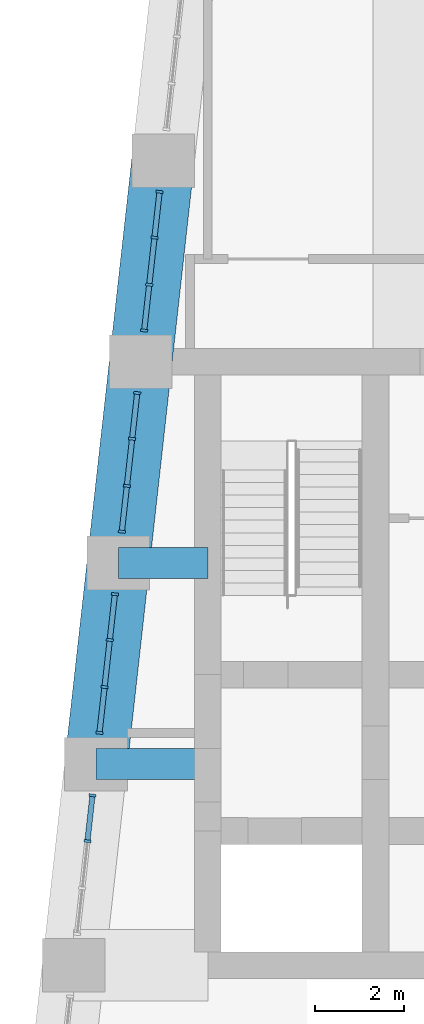
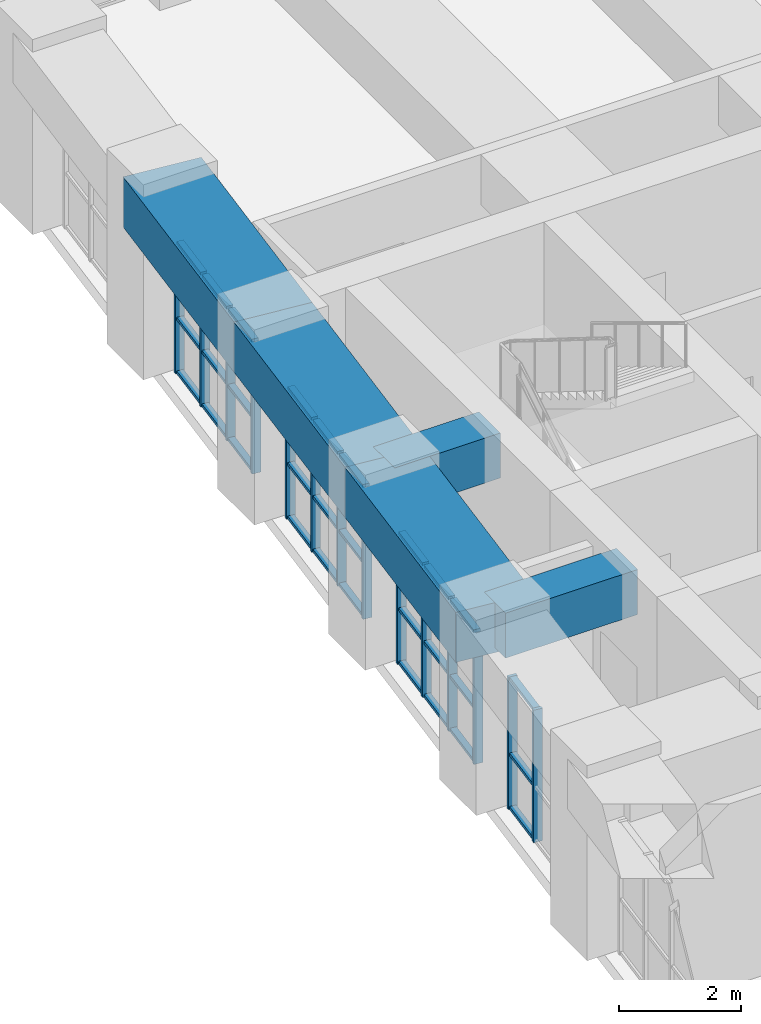
# One storey, part 4 of 18: 44 members, 5 beams, 4 elements without a shape of their own.
"""IFC4 building model written with IfcOpenShell, lengths in metres."""

import ifcopenshell
import ifcopenshell.guid

model = None  # the IFC model being written
_history = None  # IfcOwnerHistory: only IFC2X3 demands one
_inside = {}  # id of a spatial element -> (the spatial element, [elements in it])
_under = {}  # id of a project, library or spatial element -> (it, [spatial elements below it])
_declared = {}  # id of a project -> (the project, [libraries it declares])
_typed = {}  # id of a type object -> (the type object, [elements of that type])
_made_of = {}  # id of a material, layer set ... -> (it, [elements and type objects made of it])


def new_model(schema):
    """Start an empty IFC model of exactly this schema.

    Asked for "IFC4X3", IfcOpenShell would pick the latest addendum, in which some entities
    have other attributes; the version numbers below select the first issue.
    IFC2X3 requires an IfcOwnerHistory on every rooted entity: one is made here for all.
    """
    global model, _history
    if schema == "IFC4X3":
        model = ifcopenshell.file(schema_version=(4, 3, 0, 0))
    else:
        model = ifcopenshell.file(schema=schema)
    _inside.clear()
    _under.clear()
    _declared.clear()
    _typed.clear()
    _made_of.clear()
    _history = None
    if model.schema == "IFC2X3":
        org = make("IfcOrganization", Name="unknown")
        user = make(
            "IfcPersonAndOrganization",
            ThePerson=make("IfcPerson", FamilyName="unknown"),
            TheOrganization=org,
        )
        app = make(
            "IfcApplication",
            ApplicationDeveloper=org,
            Version="unknown",
            ApplicationFullName="unknown",
            ApplicationIdentifier="unknown",
        )
        _history = make(
            "IfcOwnerHistory",
            OwningUser=user,
            OwningApplication=app,
            ChangeAction="ADDED",
            CreationDate=0,
        )
    return model


def make(cls, **values):
    """One entity of the class cls with the attributes given. An attribute that is None is left unset."""
    return model.create_entity(
        cls, **{name: value for name, value in values.items() if value is not None}
    )


def rooted(cls, **values):
    """An entity with a GlobalId (a new one), such as an element, a storey or a relation."""
    return make(cls, GlobalId=ifcopenshell.guid.new(), OwnerHistory=_history, **values)


def si_unit(unit_type, name, prefix=None):
    """IfcSIUnit, for example si_unit("LENGTHUNIT", "METRE", prefix="MILLI")."""
    return make("IfcSIUnit", UnitType=unit_type, Prefix=prefix, Name=name)


def assignment(units):
    """IfcUnitAssignment: the units of a project."""
    return None if units is None else make("IfcUnitAssignment", Units=units)


def point(xyz):
    """IfcCartesianPoint."""
    return None if xyz is None else make("IfcCartesianPoint", Coordinates=xyz)


def direction(xyz):
    """IfcDirection."""
    return None if xyz is None else make("IfcDirection", DirectionRatios=xyz)


def frame(location, z_axis=None, x_axis=None):
    """IfcAxis2Placement3D, a coordinate frame: its origin and axes. An axis left out is left unset."""
    return make(
        "IfcAxis2Placement3D",
        Location=point(location),
        Axis=direction(z_axis),
        RefDirection=direction(x_axis),
    )


def frame_2d(location, x_axis=None):
    """IfcAxis2Placement2D, a coordinate frame in the plane: its origin and x axis."""
    return make(
        "IfcAxis2Placement2D", Location=point(location), RefDirection=direction(x_axis)
    )


def origin():
    """The frame at (0, 0, 0) with its axes left unset."""
    return frame((0.0, 0.0, 0.0))


def origin_2d():
    """The frame at (0, 0) in the plane with its x axis left unset."""
    return frame_2d((0.0, 0.0))


def place(relative_to, where):
    """IfcLocalPlacement: puts the frame where relative to a parent placement (None: the world)."""
    return make(
        "IfcLocalPlacement", PlacementRelTo=relative_to, RelativePlacement=where
    )


def context(
    kind, dimensions, precision=None, world=None, true_north=None, identifier=None
):
    """IfcGeometricRepresentationContext, for example the 3D "Model" context."""
    return make(
        "IfcGeometricRepresentationContext",
        ContextIdentifier=identifier,
        ContextType=kind,
        CoordinateSpaceDimension=dimensions,
        Precision=precision,
        WorldCoordinateSystem=world,
        TrueNorth=true_north,
    )


def subcontext(parent, identifier, kind, view, scale=None):
    """IfcGeometricRepresentationSubContext, for example "Body" below "Model"."""
    return make(
        "IfcGeometricRepresentationSubContext",
        ContextIdentifier=identifier,
        ContextType=kind,
        ParentContext=parent,
        TargetScale=scale,
        TargetView=view,
    )


def project(units=None, contexts=None):
    """IfcProject with its units and contexts."""
    return rooted(
        "IfcProject",
        Name="project",
        RepresentationContexts=contexts,
        UnitsInContext=assignment(units),
    )


def spatial(cls, under=None, at=None, **own):
    """A site, building, storey or space (cls), placed at a placement, below another one or the project."""
    s = rooted(cls, ObjectPlacement=at, **own)
    if under is not None:
        _under.setdefault(under.id(), (under, []))[1].append(s)
    return s


def profile(cls, at=None, kind="AREA", **sizes):
    """A parametric profile (cls). Its sizes go by their IFC names, for example OverallWidth=200.0."""
    return make(cls, ProfileType=kind, Position=at, **sizes)


def rectangle(**sizes):
    """IfcRectangleProfileDef."""
    return profile("IfcRectangleProfileDef", **sizes)


def extrude(swept, where, along, depth):
    """IfcExtrudedAreaSolid: the profile swept, set in the frame where, extruded along a direction by depth."""
    return make(
        "IfcExtrudedAreaSolid",
        SweptArea=swept,
        Position=where,
        ExtrudedDirection=direction(along),
        Depth=depth,
    )


def shape(context_of_items, identifier, shape_type, items):
    """IfcShapeRepresentation: the items that make up one representation, for example the "Body"."""
    return make(
        "IfcShapeRepresentation",
        ContextOfItems=context_of_items,
        RepresentationIdentifier=identifier,
        RepresentationType=shape_type,
        Items=items,
    )


def material(Name=None, Category=None):
    """IfcMaterial."""
    return make("IfcMaterial", Name=Name, Category=Category)


def material_profile(
    of_material, cross_section, Name=None, Category=None, Priority=None
):
    """IfcMaterialProfile: a cross section and its material."""
    return make(
        "IfcMaterialProfile",
        Name=Name,
        Material=of_material,
        Profile=cross_section,
        Priority=Priority,
        Category=Category,
    )


def profile_set(profiles, Name=None, composite=None):
    """IfcMaterialProfileSet."""
    return make(
        "IfcMaterialProfileSet",
        Name=Name,
        MaterialProfiles=profiles,
        CompositeProfile=composite,
    )


def made_of(thing, what):
    """Note that an element or type object is made of a material, layer set ...; save() writes the relation."""
    if what is not None:
        _made_of.setdefault(what.id(), (what, []))[1].append(thing)
    return thing


def type_object(cls, material=None, **own):
    """A type object (cls), such as IfcWallType, which elements share."""
    return made_of(rooted(cls, **own), material)


def element(
    cls,
    number,
    at=None,
    inside=None,
    cuts=None,
    type_object=None,
    material=None,
    context=None,
    identifier="Body",
    shape_type=None,
    held_by="IfcProductDefinitionShape",
    body=None,
    shapes=None,
    **own,
):
    """One element of the class cls, such as IfcWall. Its Tag is "e" and its number.

    at: its placement. inside: the storey or other place that contains it. cuts: it is an
    opening in that element (IfcRelVoidsElement). A single representation is given by context,
    identifier, shape_type and body (its items); several are given by shapes. held_by: the class
    of the entity that holds the representations. save() writes the other relations.
    """
    e = rooted(cls, Tag="e%d" % number, ObjectPlacement=at, **own)
    if body is not None:
        shapes = [shape(context, identifier, shape_type, body)]
    if shapes is not None:
        e.Representation = make(held_by, Representations=shapes)
    if inside is not None:
        _inside.setdefault(inside.id(), (inside, []))[1].append(e)
    if cuts is not None:
        rooted(
            "IfcRelVoidsElement", RelatingBuildingElement=cuts, RelatedOpeningElement=e
        )
    if type_object is not None:
        _typed.setdefault(type_object.id(), (type_object, []))[1].append(e)
    return made_of(e, material)


def aggregate(whole, parts):
    """IfcRelAggregates: a whole, such as a stair, and the parts it consists of."""
    return rooted("IfcRelAggregates", RelatingObject=whole, RelatedObjects=parts)


def save(model, path):
    """Write the relations noted so far, then the file.

    IfcRelAggregates (storeys below a building ...), IfcRelContainedInSpatialStructure (elements
    in a storey), IfcRelDefinesByType, IfcRelAssociatesMaterial and IfcRelDeclares: one each for
    every whole, place, type object, material and project.
    """
    for whole, parts in _under.values():
        aggregate(whole, parts)
    for where, things in _inside.values():
        rooted(
            "IfcRelContainedInSpatialStructure",
            RelatedElements=things,
            RelatingStructure=where,
        )
    for kind, things in _typed.values():
        rooted("IfcRelDefinesByType", RelatedObjects=things, RelatingType=kind)
    for what, things in _made_of.values():
        rooted("IfcRelAssociatesMaterial", RelatedObjects=things, RelatingMaterial=what)
    for by, libraries in _declared.values():
        rooted("IfcRelDeclares", RelatingContext=by, RelatedDefinitions=libraries)
    model.write(path)


model = new_model("IFC4")

# Units and contexts
model_context = context("Model", 3, precision=1e-05, world=origin(), true_north=direction((0.0, 1.0)))
body_context = subcontext(model_context, "Body", "Model", "MODEL_VIEW")
ifc_project = project(units=[si_unit("LENGTHUNIT", "METRE"), si_unit("AREAUNIT", "SQUARE_METRE"), si_unit("VOLUMEUNIT", "CUBIC_METRE"), si_unit("PLANEANGLEUNIT", "RADIAN"), si_unit("MASSUNIT", "GRAM", prefix="KILO")], contexts=[model_context])

# Site, building, storey
site_placement = place(None, origin())
site = spatial("IfcSite", under=ifc_project, at=site_placement, CompositionType="ELEMENT")
building_placement = place(site_placement, origin())
building = spatial("IfcBuilding", under=site, at=building_placement, Name="Kilele Tower Hotel", CompositionType="ELEMENT")
storey_placement = place(building_placement, frame((0.0, 0.0, 281.89990234375)))
storey = spatial("IfcBuildingStorey", under=building, at=storey_placement, Name="L72", CompositionType="ELEMENT", Elevation=281.89990234375)

# Beams
ifc_material_1 = material(Name="Concrete C60/75", Category="concrete")
ifc_material_profile_1 = material_profile(ifc_material_1, rectangle(XDim=0.699951171875, YDim=0.89990234375, at=origin_2d()))
ifc_profile_set_1 = profile_set([ifc_material_profile_1], Name="Concrete C60/75")
beam_type_1 = type_object("IfcBeamType", Name="Beam RC 700x900 C60/75 short span", PredefinedType="BEAM", material=ifc_profile_set_1)
beam_1_placement = place(storey_placement, frame((11.5, 22.5, 3.2001953125), z_axis=(1.0, 0.0, 0.0), x_axis=(0.0, 1.0, 0.0)))
element("IfcBeam", 1, at=beam_1_placement, inside=storey, type_object=beam_type_1, Name="Beam B3 level L73", PredefinedType="BEAM", context=body_context, shape_type="SweptSolid", body=[
    extrude(rectangle(XDim=0.699951171875, YDim=0.89990234375, at=origin_2d()), origin(), (0.0, 0.0, 1.0), 2.0),
])
beam_2_placement = place(storey_placement, frame((11.0, 18.0, 3.2001953125), z_axis=(1.0, 0.0, 0.0), x_axis=(0.0, 1.0, 0.0)))
element("IfcBeam", 2, at=beam_2_placement, inside=storey, type_object=beam_type_1, Name="Beam B3 level L73", PredefinedType="BEAM", context=body_context, shape_type="SweptSolid", body=[
    extrude(rectangle(XDim=0.699951171875, YDim=0.89990234375, at=origin_2d()), origin(), (0.0, 0.0, 1.0), 2.5),
])

# Curtain wall, members
ifc_material_2 = material(Name="Aluminium curtain wall, clear double glazing", Category="aluminium")
curtain_wall_type = type_object("IfcCurtainWallType", Name="Sky restaurant curtain wall CW-5", PredefinedType="NOTDEFINED", material=ifc_material_2)
curtain_wall_1_placement = place(storey_placement, origin())
curtain_wall_1 = element("IfcCurtainWall", 3, at=curtain_wall_1_placement, inside=storey, type_object=curtain_wall_type, Name="Sky restaurant curtain wall CW-5 L72", PredefinedType="NOTDEFINED")
ifc_material_3 = material(Name="Aluminium EN AW-6063 T6", Category="aluminium")
ifc_material_profile_2 = material_profile(ifc_material_3, rectangle(XDim=0.159912109375, YDim=0.06005859375, at=origin_2d()))
ifc_profile_set_2 = profile_set([ifc_material_profile_2], Name="Aluminium EN AW-6063 T6")
member_type_1 = type_object("IfcMemberType", Name="Mullion 60x160 CW-5", PredefinedType="MULLION", material=ifc_profile_set_2)
member_1_placement = place(storey_placement, frame((12.42236328125, 30.80078125, 0.0), z_axis=(0.0, 0.0, 1.0), x_axis=(0.993883734681, -0.110431526007, 0.0)))
member_1 = element("IfcMember", 4, at=member_1_placement, type_object=member_type_1, Name="CW-5 mullion 1", PredefinedType="MULLION", context=body_context, shape_type="SweptSolid", body=[
    extrude(rectangle(XDim=0.159912109375, YDim=0.06005859375, at=origin_2d()), origin(), (0.0, 0.0, 1.0), 2.650146484375),
])
member_2_placement = place(storey_placement, frame((12.30859375, 29.77685546875, 0.0), z_axis=(0.0, 0.0, 1.0), x_axis=(0.993883734681, -0.110431526007, 0.0)))
member_2 = element("IfcMember", 5, at=member_2_placement, type_object=member_type_1, Name="CW-5 mullion 2", PredefinedType="MULLION", context=body_context, shape_type="SweptSolid", body=[
    extrude(rectangle(XDim=0.159912109375, YDim=0.06005859375, at=origin_2d()), origin(), (0.0, 0.0, 1.0), 2.650146484375),
])
member_3_placement = place(storey_placement, frame((12.19140625, 28.72314453125, 0.0), z_axis=(0.0, 0.0, 1.0), x_axis=(0.993883734681, -0.110431526007, 0.0)))
member_3 = element("IfcMember", 6, at=member_3_placement, type_object=member_type_1, Name="CW-5 mullion 3", PredefinedType="MULLION", context=body_context, shape_type="SweptSolid", body=[
    extrude(rectangle(XDim=0.159912109375, YDim=0.06005859375, at=origin_2d()), origin(), (0.0, 0.0, 1.0), 2.650146484375),
])
member_4_placement = place(storey_placement, frame((12.07763671875, 27.69921875, 0.0), z_axis=(0.0, 0.0, 1.0), x_axis=(0.993883734681, -0.110431526007, 0.0)))
member_4 = element("IfcMember", 7, at=member_4_placement, type_object=member_type_1, Name="CW-5 mullion 4", PredefinedType="MULLION", context=body_context, shape_type="SweptSolid", body=[
    extrude(rectangle(XDim=0.159912109375, YDim=0.06005859375, at=origin_2d()), origin(), (0.0, 0.0, 1.0), 2.650146484375),
])

curtain_wall_2_placement = place(storey_placement, origin())
curtain_wall_2 = element("IfcCurtainWall", 8, at=curtain_wall_2_placement, inside=storey, type_object=curtain_wall_type, Name="Sky restaurant curtain wall CW-5 L72", PredefinedType="NOTDEFINED")
member_5_placement = place(storey_placement, frame((11.92236328125, 26.30078125, 0.0), z_axis=(0.0, 0.0, 1.0), x_axis=(0.993883734681, -0.110431526007, 0.0)))
member_5 = element("IfcMember", 9, at=member_5_placement, type_object=member_type_1, Name="CW-5 mullion 1", PredefinedType="MULLION", context=body_context, shape_type="SweptSolid", body=[
    extrude(rectangle(XDim=0.159912109375, YDim=0.06005859375, at=origin_2d()), origin(), (0.0, 0.0, 1.0), 2.650146484375),
])
member_6_placement = place(storey_placement, frame((11.80859375, 25.27685546875, 0.0), z_axis=(0.0, 0.0, 1.0), x_axis=(0.993883734681, -0.110431526007, 0.0)))
member_6 = element("IfcMember", 10, at=member_6_placement, type_object=member_type_1, Name="CW-5 mullion 2", PredefinedType="MULLION", context=body_context, shape_type="SweptSolid", body=[
    extrude(rectangle(XDim=0.159912109375, YDim=0.06005859375, at=origin_2d()), origin(), (0.0, 0.0, 1.0), 2.650146484375),
])
member_7_placement = place(storey_placement, frame((11.69140625, 24.22314453125, 0.0), z_axis=(0.0, 0.0, 1.0), x_axis=(0.993883734681, -0.110431526007, 0.0)))
member_7 = element("IfcMember", 11, at=member_7_placement, type_object=member_type_1, Name="CW-5 mullion 3", PredefinedType="MULLION", context=body_context, shape_type="SweptSolid", body=[
    extrude(rectangle(XDim=0.159912109375, YDim=0.06005859375, at=origin_2d()), origin(), (0.0, 0.0, 1.0), 2.650146484375),
])
member_8_placement = place(storey_placement, frame((11.57763671875, 23.19921875, 0.0), z_axis=(0.0, 0.0, 1.0), x_axis=(0.993883734681, -0.110431526007, 0.0)))
member_8 = element("IfcMember", 12, at=member_8_placement, type_object=member_type_1, Name="CW-5 mullion 4", PredefinedType="MULLION", context=body_context, shape_type="SweptSolid", body=[
    extrude(rectangle(XDim=0.159912109375, YDim=0.06005859375, at=origin_2d()), origin(), (0.0, 0.0, 1.0), 2.650146484375),
])

curtain_wall_3_placement = place(storey_placement, origin())
curtain_wall_3 = element("IfcCurtainWall", 13, at=curtain_wall_3_placement, inside=storey, type_object=curtain_wall_type, Name="Sky restaurant curtain wall CW-5 L72", PredefinedType="NOTDEFINED")
member_9_placement = place(storey_placement, frame((11.42236328125, 21.80078125, 0.0), z_axis=(0.0, 0.0, 1.0), x_axis=(0.993883734681, -0.110431526007, 0.0)))
member_9 = element("IfcMember", 14, at=member_9_placement, type_object=member_type_1, Name="CW-5 mullion 1", PredefinedType="MULLION", context=body_context, shape_type="SweptSolid", body=[
    extrude(rectangle(XDim=0.159912109375, YDim=0.06005859375, at=origin_2d()), origin(), (0.0, 0.0, 1.0), 2.650146484375),
])
member_10_placement = place(storey_placement, frame((11.30859375, 20.77685546875, 0.0), z_axis=(0.0, 0.0, 1.0), x_axis=(0.993883734681, -0.110431526007, 0.0)))
member_10 = element("IfcMember", 15, at=member_10_placement, type_object=member_type_1, Name="CW-5 mullion 2", PredefinedType="MULLION", context=body_context, shape_type="SweptSolid", body=[
    extrude(rectangle(XDim=0.159912109375, YDim=0.06005859375, at=origin_2d()), origin(), (0.0, 0.0, 1.0), 2.650146484375),
])
member_11_placement = place(storey_placement, frame((11.19140625, 19.72314453125, 0.0), z_axis=(0.0, 0.0, 1.0), x_axis=(0.993883734681, -0.110431526007, 0.0)))
member_11 = element("IfcMember", 16, at=member_11_placement, type_object=member_type_1, Name="CW-5 mullion 3", PredefinedType="MULLION", context=body_context, shape_type="SweptSolid", body=[
    extrude(rectangle(XDim=0.159912109375, YDim=0.06005859375, at=origin_2d()), origin(), (0.0, 0.0, 1.0), 2.650146484375),
])
member_12_placement = place(storey_placement, frame((11.07763671875, 18.69921875, 0.0), z_axis=(0.0, 0.0, 1.0), x_axis=(0.993883734681, -0.110431526007, 0.0)))
member_12 = element("IfcMember", 17, at=member_12_placement, type_object=member_type_1, Name="CW-5 mullion 4", PredefinedType="MULLION", context=body_context, shape_type="SweptSolid", body=[
    extrude(rectangle(XDim=0.159912109375, YDim=0.06005859375, at=origin_2d()), origin(), (0.0, 0.0, 1.0), 2.650146484375),
])

curtain_wall_4_placement = place(storey_placement, origin())
curtain_wall_4 = element("IfcCurtainWall", 18, at=curtain_wall_4_placement, inside=storey, type_object=curtain_wall_type, Name="Sky restaurant curtain wall CW-5 L72", PredefinedType="NOTDEFINED")
member_13_placement = place(storey_placement, frame((10.92236328125, 17.30078125, 0.0), z_axis=(0.0, 0.0, 1.0), x_axis=(0.993883734681, -0.110431526007, 0.0)))
member_13 = element("IfcMember", 19, at=member_13_placement, type_object=member_type_1, Name="CW-5 mullion 1", PredefinedType="MULLION", context=body_context, shape_type="SweptSolid", body=[
    extrude(rectangle(XDim=0.159912109375, YDim=0.06005859375, at=origin_2d()), origin(), (0.0, 0.0, 1.0), 2.650146484375),
])
member_14_placement = place(storey_placement, frame((10.80859375, 16.27685546875, 0.0), z_axis=(0.0, 0.0, 1.0), x_axis=(0.993883734681, -0.110431526007, 0.0)))
member_14 = element("IfcMember", 20, at=member_14_placement, type_object=member_type_1, Name="CW-5 mullion 2", PredefinedType="MULLION", context=body_context, shape_type="SweptSolid", body=[
    extrude(rectangle(XDim=0.159912109375, YDim=0.06005859375, at=origin_2d()), origin(), (0.0, 0.0, 1.0), 2.650146484375),
])

# Beams
ifc_material_4 = material(Name="Concrete C60/75", Category="concrete")
ifc_material_profile_3 = material_profile(ifc_material_4, rectangle(XDim=1.39990234375, YDim=1.0, at=origin_2d()))
ifc_profile_set_3 = profile_set([ifc_material_profile_3], Name="Concrete C60/75")
beam_type_2 = type_object("IfcBeamType", Name="Spandrel RC 1400x1000 C60/75", PredefinedType="SPANDREL", material=ifc_profile_set_3)
for number, where, z_axis, x_axis, name in (
    (21, (12.5, 31.5, 3.150146484375), (-0.110431526075, -0.993883734674, 0.0), (0.993883734674, -0.110431526075, 0.0), "Spandrel SP1 level L73"),
    (22, (12.0, 27.0, 3.150146484375), (-0.110431526075, -0.993883734674, 0.0), (0.993883734674, -0.110431526075, 0.0), "Spandrel SP1 level L73"),
    (23, (11.5, 22.5, 3.150146484375), (-0.110431526075, -0.993883734674, 0.0), (0.993883734674, -0.110431526075, 0.0), "Spandrel SP1 level L73"),
):
    element("IfcBeam", number, at=place(storey_placement, frame(where, z_axis=z_axis, x_axis=x_axis)), inside=storey, type_object=beam_type_2, Name=name, PredefinedType="SPANDREL", context=body_context, shape_type="SweptSolid", body=[
        extrude(rectangle(XDim=1.39990234375, YDim=1.0, at=origin_2d()), origin(), (0.0, 0.0, 1.0), 4.527587890625),
    ])

# Member
ifc_material_5 = material(Name="Aluminium EN AW-6063 T6", Category="aluminium")
ifc_material_profile_4 = material_profile(ifc_material_5, rectangle(XDim=0.1201171875, YDim=0.06005859375, at=origin_2d()))
ifc_profile_set_4 = profile_set([ifc_material_profile_4], Name="Aluminium EN AW-6063 T6")
member_type_2 = type_object("IfcMemberType", Name="Transom 60x120 CW-5", PredefinedType="USERDEFINED", material=ifc_profile_set_4)
member_15_placement = place(storey_placement, frame((12.4189453125, 30.770751953125, 0.030029296875), z_axis=(-0.11048677236, -0.993877594643, 0.0), x_axis=(0.993877594643, -0.11048677236, 0.0)))
member_15 = element("IfcMember", 24, at=member_15_placement, type_object=member_type_2, Name="CW-5 transom 1.1", ObjectType="TRANSOM", PredefinedType="USERDEFINED", context=body_context, shape_type="SweptSolid", body=[
    extrude(rectangle(XDim=0.1201171875, YDim=0.06005859375, at=origin_2d()), origin(), (0.0, 0.0, 1.0), 0.969970703125),
])

member_16_placement = place(storey_placement, frame((12.4189453125, 30.770751953125, 1.10009765625), z_axis=(-0.11048677236, -0.993877594643, 0.0), x_axis=(0.993877594643, -0.11048677236, 0.0)))
member_16 = element("IfcMember", 25, at=member_16_placement, type_object=member_type_2, Name="CW-5 transom 1.2", ObjectType="TRANSOM", PredefinedType="USERDEFINED", context=body_context, shape_type="SweptSolid", body=[
    extrude(rectangle(XDim=0.1201171875, YDim=0.06005859375, at=origin_2d()), origin(), (0.0, 0.0, 1.0), 0.969970703125),
])

member_17_placement = place(storey_placement, frame((12.4189453125, 30.770751953125, 2.6201171875), z_axis=(-0.11048677236, -0.993877594643, 0.0), x_axis=(0.993877594643, -0.11048677236, 0.0)))
member_17 = element("IfcMember", 26, at=member_17_placement, type_object=member_type_2, Name="CW-5 transom 1.3", ObjectType="TRANSOM", PredefinedType="USERDEFINED", context=body_context, shape_type="SweptSolid", body=[
    extrude(rectangle(XDim=0.1201171875, YDim=0.06005859375, at=origin_2d()), origin(), (0.0, 0.0, 1.0), 0.969970703125),
])

member_18_placement = place(storey_placement, frame((12.30517578125, 29.7470703125, 0.030029296875), z_axis=(-0.110324368158, -0.993895635261, 0.0), x_axis=(0.993895635261, -0.110324368158, 0.0)))
member_18 = element("IfcMember", 27, at=member_18_placement, type_object=member_type_2, Name="CW-5 transom 2.1", ObjectType="TRANSOM", PredefinedType="USERDEFINED", context=body_context, shape_type="SweptSolid", body=[
    extrude(rectangle(XDim=0.1201171875, YDim=0.06005859375, at=origin_2d()), origin(), (0.0, 0.0, 1.0), 1.000244140625),
])

member_19_placement = place(storey_placement, frame((12.30517578125, 29.7470703125, 1.10009765625), z_axis=(-0.110324368158, -0.993895635261, 0.0), x_axis=(0.993895635261, -0.110324368158, 0.0)))
member_19 = element("IfcMember", 28, at=member_19_placement, type_object=member_type_2, Name="CW-5 transom 2.2", ObjectType="TRANSOM", PredefinedType="USERDEFINED", context=body_context, shape_type="SweptSolid", body=[
    extrude(rectangle(XDim=0.1201171875, YDim=0.06005859375, at=origin_2d()), origin(), (0.0, 0.0, 1.0), 1.000244140625),
])

member_20_placement = place(storey_placement, frame((12.30517578125, 29.7470703125, 2.6201171875), z_axis=(-0.110324368158, -0.993895635261, 0.0), x_axis=(0.993895635261, -0.110324368158, 0.0)))
member_20 = element("IfcMember", 29, at=member_20_placement, type_object=member_type_2, Name="CW-5 transom 2.3", ObjectType="TRANSOM", PredefinedType="USERDEFINED", context=body_context, shape_type="SweptSolid", body=[
    extrude(rectangle(XDim=0.1201171875, YDim=0.06005859375, at=origin_2d()), origin(), (0.0, 0.0, 1.0), 1.000244140625),
])

member_21_placement = place(storey_placement, frame((12.188232421875, 28.693359375, 0.030029296875), z_axis=(-0.11048677236, -0.993877594643, 0.0), x_axis=(0.993877594643, -0.11048677236, 0.0)))
member_21 = element("IfcMember", 30, at=member_21_placement, type_object=member_type_2, Name="CW-5 transom 3.1", ObjectType="TRANSOM", PredefinedType="USERDEFINED", context=body_context, shape_type="SweptSolid", body=[
    extrude(rectangle(XDim=0.1201171875, YDim=0.06005859375, at=origin_2d()), origin(), (0.0, 0.0, 1.0), 0.969970703125),
])

member_22_placement = place(storey_placement, frame((12.188232421875, 28.693359375, 1.10009765625), z_axis=(-0.11048677236, -0.993877594643, 0.0), x_axis=(0.993877594643, -0.11048677236, 0.0)))
member_22 = element("IfcMember", 31, at=member_22_placement, type_object=member_type_2, Name="CW-5 transom 3.2", ObjectType="TRANSOM", PredefinedType="USERDEFINED", context=body_context, shape_type="SweptSolid", body=[
    extrude(rectangle(XDim=0.1201171875, YDim=0.06005859375, at=origin_2d()), origin(), (0.0, 0.0, 1.0), 0.969970703125),
])

member_23_placement = place(storey_placement, frame((12.188232421875, 28.693359375, 2.6201171875), z_axis=(-0.11048677236, -0.993877594643, 0.0), x_axis=(0.993877594643, -0.11048677236, 0.0)))
member_23 = element("IfcMember", 32, at=member_23_placement, type_object=member_type_2, Name="CW-5 transom 3.3", ObjectType="TRANSOM", PredefinedType="USERDEFINED", context=body_context, shape_type="SweptSolid", body=[
    extrude(rectangle(XDim=0.1201171875, YDim=0.06005859375, at=origin_2d()), origin(), (0.0, 0.0, 1.0), 0.969970703125),
])

aggregate(curtain_wall_1, [member_1, member_2, member_3, member_4, member_15, member_16, member_17, member_18, member_19, member_20, member_21, member_22, member_23])

member_24_placement = place(storey_placement, frame((11.9189453125, 26.270751953125, 0.030029296875), z_axis=(-0.11048677236, -0.993877594643, 0.0), x_axis=(0.993877594643, -0.11048677236, 0.0)))
member_24 = element("IfcMember", 33, at=member_24_placement, type_object=member_type_2, Name="CW-5 transom 1.1", ObjectType="TRANSOM", PredefinedType="USERDEFINED", context=body_context, shape_type="SweptSolid", body=[
    extrude(rectangle(XDim=0.1201171875, YDim=0.06005859375, at=origin_2d()), origin(), (0.0, 0.0, 1.0), 0.969970703125),
])

member_25_placement = place(storey_placement, frame((11.9189453125, 26.270751953125, 1.10009765625), z_axis=(-0.11048677236, -0.993877594643, 0.0), x_axis=(0.993877594643, -0.11048677236, 0.0)))
member_25 = element("IfcMember", 34, at=member_25_placement, type_object=member_type_2, Name="CW-5 transom 1.2", ObjectType="TRANSOM", PredefinedType="USERDEFINED", context=body_context, shape_type="SweptSolid", body=[
    extrude(rectangle(XDim=0.1201171875, YDim=0.06005859375, at=origin_2d()), origin(), (0.0, 0.0, 1.0), 0.969970703125),
])

member_26_placement = place(storey_placement, frame((11.9189453125, 26.270751953125, 2.6201171875), z_axis=(-0.11048677236, -0.993877594643, 0.0), x_axis=(0.993877594643, -0.11048677236, 0.0)))
member_26 = element("IfcMember", 35, at=member_26_placement, type_object=member_type_2, Name="CW-5 transom 1.3", ObjectType="TRANSOM", PredefinedType="USERDEFINED", context=body_context, shape_type="SweptSolid", body=[
    extrude(rectangle(XDim=0.1201171875, YDim=0.06005859375, at=origin_2d()), origin(), (0.0, 0.0, 1.0), 0.969970703125),
])

member_27_placement = place(storey_placement, frame((11.80517578125, 25.2470703125, 0.030029296875), z_axis=(-0.110324368158, -0.993895635261, 0.0), x_axis=(0.993895635261, -0.110324368158, 0.0)))
member_27 = element("IfcMember", 36, at=member_27_placement, type_object=member_type_2, Name="CW-5 transom 2.1", ObjectType="TRANSOM", PredefinedType="USERDEFINED", context=body_context, shape_type="SweptSolid", body=[
    extrude(rectangle(XDim=0.1201171875, YDim=0.06005859375, at=origin_2d()), origin(), (0.0, 0.0, 1.0), 1.000244140625),
])

member_28_placement = place(storey_placement, frame((11.80517578125, 25.2470703125, 1.10009765625), z_axis=(-0.110324368158, -0.993895635261, 0.0), x_axis=(0.993895635261, -0.110324368158, 0.0)))
member_28 = element("IfcMember", 37, at=member_28_placement, type_object=member_type_2, Name="CW-5 transom 2.2", ObjectType="TRANSOM", PredefinedType="USERDEFINED", context=body_context, shape_type="SweptSolid", body=[
    extrude(rectangle(XDim=0.1201171875, YDim=0.06005859375, at=origin_2d()), origin(), (0.0, 0.0, 1.0), 1.000244140625),
])

member_29_placement = place(storey_placement, frame((11.80517578125, 25.2470703125, 2.6201171875), z_axis=(-0.110324368158, -0.993895635261, 0.0), x_axis=(0.993895635261, -0.110324368158, 0.0)))
member_29 = element("IfcMember", 38, at=member_29_placement, type_object=member_type_2, Name="CW-5 transom 2.3", ObjectType="TRANSOM", PredefinedType="USERDEFINED", context=body_context, shape_type="SweptSolid", body=[
    extrude(rectangle(XDim=0.1201171875, YDim=0.06005859375, at=origin_2d()), origin(), (0.0, 0.0, 1.0), 1.000244140625),
])

member_30_placement = place(storey_placement, frame((11.688232421875, 24.193359375, 0.030029296875), z_axis=(-0.11048677236, -0.993877594643, 0.0), x_axis=(0.993877594643, -0.11048677236, 0.0)))
member_30 = element("IfcMember", 39, at=member_30_placement, type_object=member_type_2, Name="CW-5 transom 3.1", ObjectType="TRANSOM", PredefinedType="USERDEFINED", context=body_context, shape_type="SweptSolid", body=[
    extrude(rectangle(XDim=0.1201171875, YDim=0.06005859375, at=origin_2d()), origin(), (0.0, 0.0, 1.0), 0.969970703125),
])

member_31_placement = place(storey_placement, frame((11.688232421875, 24.193359375, 1.10009765625), z_axis=(-0.11048677236, -0.993877594643, 0.0), x_axis=(0.993877594643, -0.11048677236, 0.0)))
member_31 = element("IfcMember", 40, at=member_31_placement, type_object=member_type_2, Name="CW-5 transom 3.2", ObjectType="TRANSOM", PredefinedType="USERDEFINED", context=body_context, shape_type="SweptSolid", body=[
    extrude(rectangle(XDim=0.1201171875, YDim=0.06005859375, at=origin_2d()), origin(), (0.0, 0.0, 1.0), 0.969970703125),
])

member_32_placement = place(storey_placement, frame((11.688232421875, 24.193359375, 2.6201171875), z_axis=(-0.11048677236, -0.993877594643, 0.0), x_axis=(0.993877594643, -0.11048677236, 0.0)))
member_32 = element("IfcMember", 41, at=member_32_placement, type_object=member_type_2, Name="CW-5 transom 3.3", ObjectType="TRANSOM", PredefinedType="USERDEFINED", context=body_context, shape_type="SweptSolid", body=[
    extrude(rectangle(XDim=0.1201171875, YDim=0.06005859375, at=origin_2d()), origin(), (0.0, 0.0, 1.0), 0.969970703125),
])

aggregate(curtain_wall_2, [member_5, member_6, member_7, member_8, member_24, member_25, member_26, member_27, member_28, member_29, member_30, member_31, member_32])

member_33_placement = place(storey_placement, frame((11.4189453125, 21.770751953125, 0.030029296875), z_axis=(-0.11048677236, -0.993877594643, 0.0), x_axis=(0.993877594643, -0.11048677236, 0.0)))
member_33 = element("IfcMember", 42, at=member_33_placement, type_object=member_type_2, Name="CW-5 transom 1.1", ObjectType="TRANSOM", PredefinedType="USERDEFINED", context=body_context, shape_type="SweptSolid", body=[
    extrude(rectangle(XDim=0.1201171875, YDim=0.06005859375, at=origin_2d()), origin(), (0.0, 0.0, 1.0), 0.969970703125),
])

member_34_placement = place(storey_placement, frame((11.4189453125, 21.770751953125, 1.10009765625), z_axis=(-0.11048677236, -0.993877594643, 0.0), x_axis=(0.993877594643, -0.11048677236, 0.0)))
member_34 = element("IfcMember", 43, at=member_34_placement, type_object=member_type_2, Name="CW-5 transom 1.2", ObjectType="TRANSOM", PredefinedType="USERDEFINED", context=body_context, shape_type="SweptSolid", body=[
    extrude(rectangle(XDim=0.1201171875, YDim=0.06005859375, at=origin_2d()), origin(), (0.0, 0.0, 1.0), 0.969970703125),
])

member_35_placement = place(storey_placement, frame((11.4189453125, 21.770751953125, 2.6201171875), z_axis=(-0.11048677236, -0.993877594643, 0.0), x_axis=(0.993877594643, -0.11048677236, 0.0)))
member_35 = element("IfcMember", 44, at=member_35_placement, type_object=member_type_2, Name="CW-5 transom 1.3", ObjectType="TRANSOM", PredefinedType="USERDEFINED", context=body_context, shape_type="SweptSolid", body=[
    extrude(rectangle(XDim=0.1201171875, YDim=0.06005859375, at=origin_2d()), origin(), (0.0, 0.0, 1.0), 0.969970703125),
])

member_36_placement = place(storey_placement, frame((11.30517578125, 20.7470703125, 0.030029296875), z_axis=(-0.110324368158, -0.993895635261, 0.0), x_axis=(0.993895635261, -0.110324368158, 0.0)))
member_36 = element("IfcMember", 45, at=member_36_placement, type_object=member_type_2, Name="CW-5 transom 2.1", ObjectType="TRANSOM", PredefinedType="USERDEFINED", context=body_context, shape_type="SweptSolid", body=[
    extrude(rectangle(XDim=0.1201171875, YDim=0.06005859375, at=origin_2d()), origin(), (0.0, 0.0, 1.0), 1.000244140625),
])

member_37_placement = place(storey_placement, frame((11.30517578125, 20.7470703125, 1.10009765625), z_axis=(-0.110324368158, -0.993895635261, 0.0), x_axis=(0.993895635261, -0.110324368158, 0.0)))
member_37 = element("IfcMember", 46, at=member_37_placement, type_object=member_type_2, Name="CW-5 transom 2.2", ObjectType="TRANSOM", PredefinedType="USERDEFINED", context=body_context, shape_type="SweptSolid", body=[
    extrude(rectangle(XDim=0.1201171875, YDim=0.06005859375, at=origin_2d()), origin(), (0.0, 0.0, 1.0), 1.000244140625),
])

member_38_placement = place(storey_placement, frame((11.30517578125, 20.7470703125, 2.6201171875), z_axis=(-0.110324368158, -0.993895635261, 0.0), x_axis=(0.993895635261, -0.110324368158, 0.0)))
member_38 = element("IfcMember", 47, at=member_38_placement, type_object=member_type_2, Name="CW-5 transom 2.3", ObjectType="TRANSOM", PredefinedType="USERDEFINED", context=body_context, shape_type="SweptSolid", body=[
    extrude(rectangle(XDim=0.1201171875, YDim=0.06005859375, at=origin_2d()), origin(), (0.0, 0.0, 1.0), 1.000244140625),
])

member_39_placement = place(storey_placement, frame((11.188232421875, 19.693359375, 0.030029296875), z_axis=(-0.11048677236, -0.993877594643, 0.0), x_axis=(0.993877594643, -0.11048677236, 0.0)))
member_39 = element("IfcMember", 48, at=member_39_placement, type_object=member_type_2, Name="CW-5 transom 3.1", ObjectType="TRANSOM", PredefinedType="USERDEFINED", context=body_context, shape_type="SweptSolid", body=[
    extrude(rectangle(XDim=0.1201171875, YDim=0.06005859375, at=origin_2d()), origin(), (0.0, 0.0, 1.0), 0.969970703125),
])

member_40_placement = place(storey_placement, frame((11.188232421875, 19.693359375, 1.10009765625), z_axis=(-0.11048677236, -0.993877594643, 0.0), x_axis=(0.993877594643, -0.11048677236, 0.0)))
member_40 = element("IfcMember", 49, at=member_40_placement, type_object=member_type_2, Name="CW-5 transom 3.2", ObjectType="TRANSOM", PredefinedType="USERDEFINED", context=body_context, shape_type="SweptSolid", body=[
    extrude(rectangle(XDim=0.1201171875, YDim=0.06005859375, at=origin_2d()), origin(), (0.0, 0.0, 1.0), 0.969970703125),
])

member_41_placement = place(storey_placement, frame((11.188232421875, 19.693359375, 2.6201171875), z_axis=(-0.11048677236, -0.993877594643, 0.0), x_axis=(0.993877594643, -0.11048677236, 0.0)))
member_41 = element("IfcMember", 50, at=member_41_placement, type_object=member_type_2, Name="CW-5 transom 3.3", ObjectType="TRANSOM", PredefinedType="USERDEFINED", context=body_context, shape_type="SweptSolid", body=[
    extrude(rectangle(XDim=0.1201171875, YDim=0.06005859375, at=origin_2d()), origin(), (0.0, 0.0, 1.0), 0.969970703125),
])

aggregate(curtain_wall_3, [member_9, member_10, member_11, member_12, member_33, member_34, member_35, member_36, member_37, member_38, member_39, member_40, member_41])

member_42_placement = place(storey_placement, frame((10.9189453125, 17.270751953125, 0.030029296875), z_axis=(-0.11048677236, -0.993877594643, 0.0), x_axis=(0.993877594643, -0.11048677236, 0.0)))
member_42 = element("IfcMember", 51, at=member_42_placement, type_object=member_type_2, Name="CW-5 transom 1.1", ObjectType="TRANSOM", PredefinedType="USERDEFINED", context=body_context, shape_type="SweptSolid", body=[
    extrude(rectangle(XDim=0.1201171875, YDim=0.06005859375, at=origin_2d()), origin(), (0.0, 0.0, 1.0), 0.969970703125),
])

member_43_placement = place(storey_placement, frame((10.9189453125, 17.270751953125, 1.10009765625), z_axis=(-0.11048677236, -0.993877594643, 0.0), x_axis=(0.993877594643, -0.11048677236, 0.0)))
member_43 = element("IfcMember", 52, at=member_43_placement, type_object=member_type_2, Name="CW-5 transom 1.2", ObjectType="TRANSOM", PredefinedType="USERDEFINED", context=body_context, shape_type="SweptSolid", body=[
    extrude(rectangle(XDim=0.1201171875, YDim=0.06005859375, at=origin_2d()), origin(), (0.0, 0.0, 1.0), 0.969970703125),
])

member_44_placement = place(storey_placement, frame((10.9189453125, 17.270751953125, 2.6201171875), z_axis=(-0.11048677236, -0.993877594643, 0.0), x_axis=(0.993877594643, -0.11048677236, 0.0)))
member_44 = element("IfcMember", 53, at=member_44_placement, type_object=member_type_2, Name="CW-5 transom 1.3", ObjectType="TRANSOM", PredefinedType="USERDEFINED", context=body_context, shape_type="SweptSolid", body=[
    extrude(rectangle(XDim=0.1201171875, YDim=0.06005859375, at=origin_2d()), origin(), (0.0, 0.0, 1.0), 0.969970703125),
])

aggregate(curtain_wall_4, [member_13, member_14, member_42, member_43, member_44])

save(model, "model.ifc")
